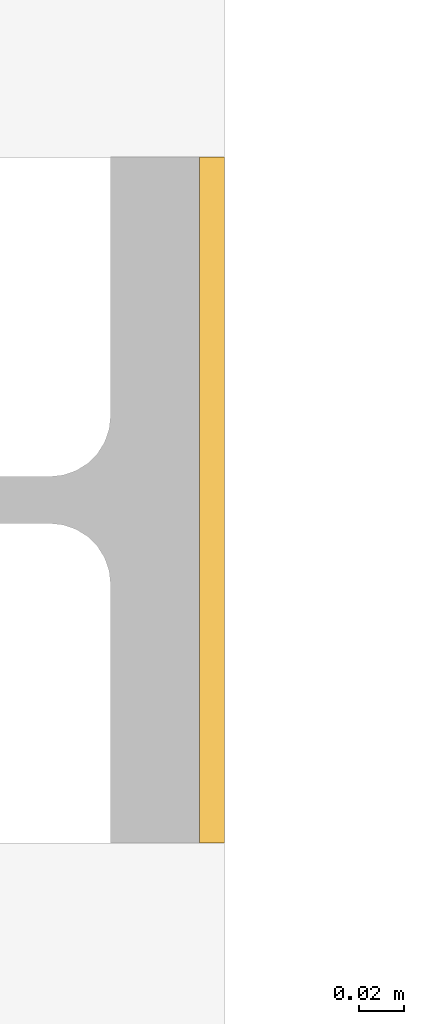
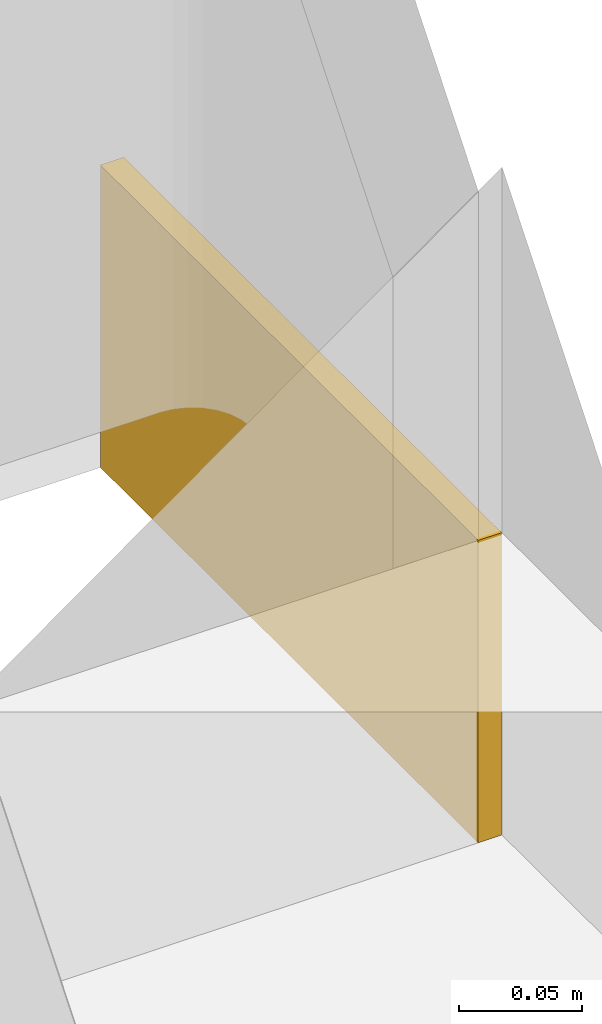
# One storey, part 56 of 57: 1 covering.
"""IFC4 building model written with IfcOpenShell, lengths in metres."""

from ifc_helpers import new_model, si_unit, direction, frame, origin, origin_2d, place, context, subcontext, project, spatial, rectangle, extrude, material, layer, layer_set, type_object, element, save


model = new_model("IFC4")

# Units and contexts
model_context = context("Model", 3, precision=1e-05, world=origin(), true_north=direction((0.0, 1.0)))
body_context = subcontext(model_context, "Body", "Model", "MODEL_VIEW")
ifc_project = project(units=[si_unit("LENGTHUNIT", "METRE"), si_unit("AREAUNIT", "SQUARE_METRE"), si_unit("VOLUMEUNIT", "CUBIC_METRE"), si_unit("PLANEANGLEUNIT", "RADIAN"), si_unit("MASSUNIT", "GRAM", prefix="KILO")], contexts=[model_context])

# Site, building, storey
site_placement = place(None, origin())
site = spatial("IfcSite", under=ifc_project, at=site_placement, CompositionType="ELEMENT")
building_placement = place(site_placement, origin())
building = spatial("IfcBuilding", under=site, at=building_placement, Name="Galleria Vessillo Department Store", CompositionType="ELEMENT")
storey_placement = place(building_placement, frame((0.0, 0.0, 21.0)))
storey = spatial("IfcBuildingStorey", under=building, at=storey_placement, Name="L04", CompositionType="ELEMENT", Elevation=21.0)

# Covering
ifc_material = material(Name="Botticino limestone ashlar", Category="masonry")
ifc_layer = layer(ifc_material, 0.14990234375)
ifc_layer_set = layer_set([ifc_layer], Name="Botticino limestone ashlar")
covering_type = type_object("IfcCoveringType", Name="Limestone slab-edge fascia 150 mm", PredefinedType="CLADDING", material=ifc_layer_set)
covering_placement = place(storey_placement, frame((117.844482421875, 46.199951171875, -0.14990234375), z_axis=(0.0, 0.0, 1.0), x_axis=(1.0, 0.0, 0.0)))
element("IfcCovering", 1, at=covering_placement, inside=storey, type_object=covering_type, Name="Joint block Slab-edge fascia SE-L03-04", PredefinedType="CLADDING", context=body_context, shape_type="SweptSolid", body=[
    extrude(rectangle(XDim=0.010986328125, YDim=0.306884765625, at=origin_2d()), origin(), (0.0, 0.0, 1.0), 0.14990234375),
])

save(model, "model.ifc")
